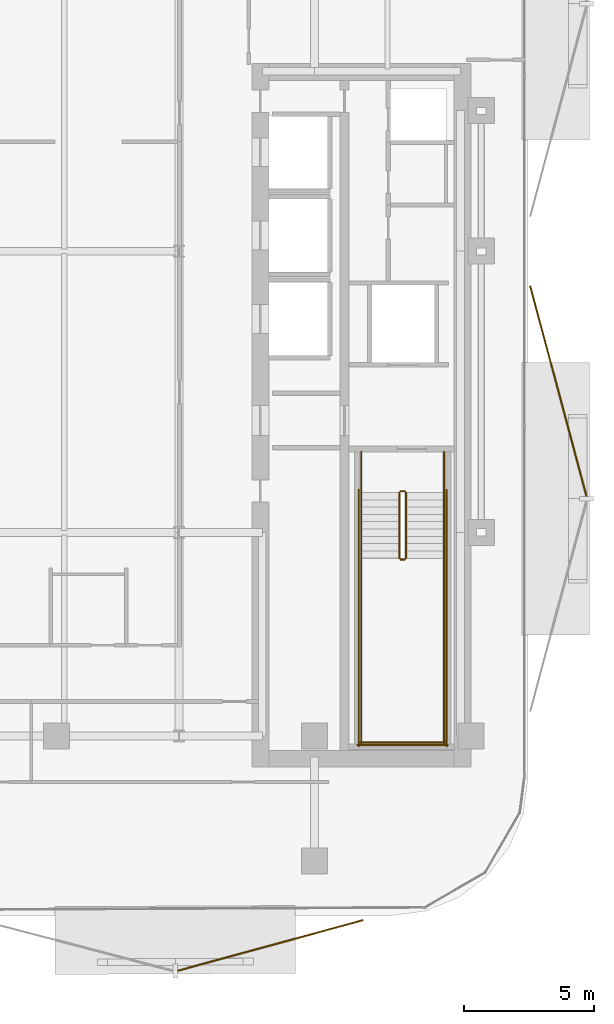
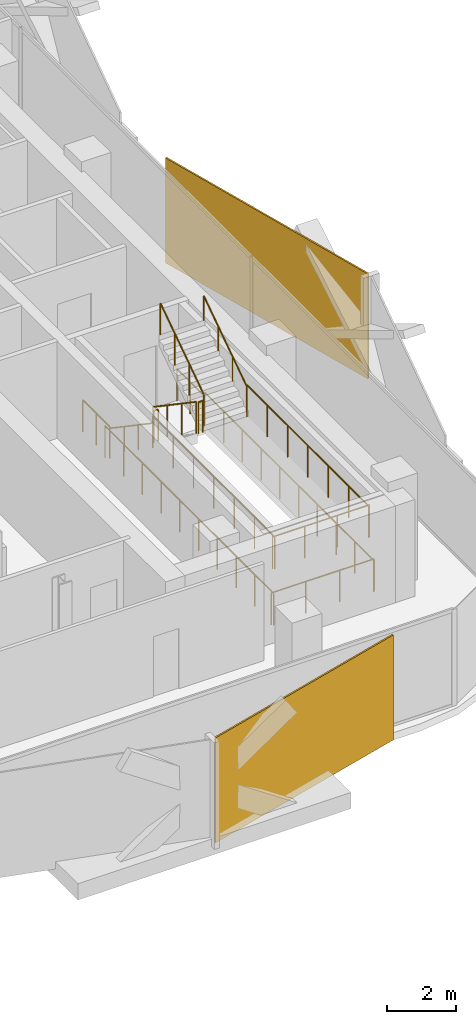
# One storey, part 15 of 17: 14 railings, 2 coverings.
"""IFC4 building model written with IfcOpenShell, lengths in metres."""

from ifc_helpers import new_model, si_unit, direction, frame, origin, origin_2d, place, context, subcontext, project, spatial, rectangle, circle, extrude, material, layer, layer_set, type_object, element, save


model = new_model("IFC4")

# Units and contexts
model_context = context("Model", 3, precision=1e-05, world=origin(), true_north=direction((0.0, 1.0)))
body_context = subcontext(model_context, "Body", "Model", "MODEL_VIEW")
ifc_project = project(units=[si_unit("LENGTHUNIT", "METRE"), si_unit("AREAUNIT", "SQUARE_METRE"), si_unit("VOLUMEUNIT", "CUBIC_METRE"), si_unit("PLANEANGLEUNIT", "RADIAN"), si_unit("MASSUNIT", "GRAM", prefix="KILO")], contexts=[model_context])

# Site, building, storey
site_placement = place(None, origin())
site = spatial("IfcSite", under=ifc_project, at=site_placement, CompositionType="ELEMENT")
building_placement = place(site_placement, origin())
building = spatial("IfcBuilding", under=site, at=building_placement, Name="Khairoan Windgate Tower", CompositionType="ELEMENT")
storey_placement = place(building_placement, frame((0.0, 0.0, 210.60009765625)))
storey = spatial("IfcBuildingStorey", under=building, at=storey_placement, Name="L49", CompositionType="ELEMENT", Elevation=210.60009765625)

# Coverings
ifc_material_1 = material(Name="Anodised Bronze Aluminium 6063-T6", Category="aluminium")
ifc_layer = layer(ifc_material_1, 0.054931640625, Name="Anodised Bronze Aluminium 6063-T6")
ifc_layer_set = layer_set([ifc_layer], Name="Anodised Bronze Aluminium 6063-T6")
covering_type = type_object("IfcCoveringType", Name="Perforated Bronze-Ceramic Folded Solar Screen Cladding BSC-1", PredefinedType="CLADDING", material=ifc_layer_set)
covering_1_placement = place(storey_placement, frame((12.712890625, -26.6376953125, -0.10009765625), z_axis=(0.0, 0.0, 1.0), x_axis=(-0.964649468762, -0.263536339841, 0.0)))
element("IfcCovering", 1, at=covering_1_placement, inside=storey, type_object=covering_type, Name="L49 Folded Bronze Solar Screen Facet 329L", PredefinedType="CLADDING", context=body_context, shape_type="SweptSolid", body=[
    extrude(rectangle(XDim=7.3759765625, YDim=0.054931640625, at=origin_2d()), origin(), (0.0, 0.0, 1.0), 3.739990234375),
])
covering_2_placement = place(storey_placement, frame((23.7587890625, -5.369873046875, -0.10009765625), z_axis=(0.0, 0.0, 1.0), x_axis=(0.258819045103, -0.965925826289, 0.0)))
element("IfcCovering", 2, at=covering_2_placement, inside=storey, type_object=covering_type, Name="L49 Folded Bronze Solar Screen Facet 336L", PredefinedType="CLADDING", context=body_context, shape_type="SweptSolid", body=[
    extrude(rectangle(XDim=8.35595703125, YDim=0.054931640625, at=origin_2d()), origin(), (0.0, 0.0, 1.0), 3.739990234375),
])

# Railings
ifc_material_2 = material(Name="Anodised Bronze Aluminium 6063-T6", Category="aluminium")
railing_type_1 = type_object("IfcRailingType", Name="Stair Wall Handrail SHR-900", PredefinedType="HANDRAIL", material=ifc_material_2)
railing_1_placement = place(storey_placement, frame((16.199951171875, -9.260009765625, 0.18994140625)))
element("IfcRailing", 3, at=railing_1_placement, inside=storey, type_object=railing_type_1, Name="L49 ST1 stair handrail 1", PredefinedType="HANDRAIL", context=body_context, shape_type="SweptSolid", body=[
    extrude(circle(Radius=0.02392578125, at=origin_2d()), frame((0.0, 0.0, 0.8759765625), z_axis=(0.0, -0.827483756001, 0.561489655786), x_axis=(1.0, 0.0, 0.0)), (0.0, 0.0, 1.0), 3.04541015625),
    extrude(circle(Radius=0.02099609375, at=origin_2d()), origin(), (0.0, 0.0, 1.0), 0.851806640625),
    extrude(circle(Radius=0.02099609375, at=origin_2d()), frame((0.0, -0.840087890625, 0.570068359375)), (0.0, 0.0, 1.0), 0.851806640625),
    extrude(circle(Radius=0.02099609375, at=origin_2d()), frame((0.0, -1.679931640625, 1.139892578125)), (0.0, 0.0, 1.0), 0.851806640625),
    extrude(circle(Radius=0.02099609375, at=origin_2d()), frame((0.0, -2.52001953125, 1.7099609375)), (0.0, 0.0, 1.0), 0.851806640625),
])
railing_2_placement = place(storey_placement, frame((19.3701171875, -11.780029296875, 2.08984375)))
element("IfcRailing", 4, at=railing_2_placement, inside=storey, type_object=railing_type_1, Name="L49 ST1 stair handrail 2", PredefinedType="HANDRAIL", context=body_context, shape_type="SweptSolid", body=[
    extrude(circle(Radius=0.02392578125, at=origin_2d()), frame((0.0, 0.0, 0.8759765625), z_axis=(0.0, 0.827483756001, 0.561489655786), x_axis=(-1.0, 0.0, 0.0)), (0.0, 0.0, 1.0), 3.04541015625),
    extrude(circle(Radius=0.02099609375, at=origin_2d()), origin(), (0.0, 0.0, 1.0), 0.851806640625),
    extrude(circle(Radius=0.02099609375, at=origin_2d()), frame((0.0, 0.840087890625, 0.570068359375)), (0.0, 0.0, 1.0), 0.851806640625),
    extrude(circle(Radius=0.02099609375, at=origin_2d()), frame((0.0, 1.679931640625, 1.139892578125)), (0.0, 0.0, 1.0), 0.851806640625),
    extrude(circle(Radius=0.02099609375, at=origin_2d()), frame((0.0, 2.52001953125, 1.7099609375)), (0.0, 0.0, 1.0), 0.851806640625),
])
ifc_material_3 = material(Name="Steel S355", Category="steel")
railing_type_2 = type_object("IfcRailingType", Name="Stairwell Safety Guardrail SGR-1150", PredefinedType="GUARDRAIL", material=ifc_material_3)
railing_3_placement = place(storey_placement, frame((17.659912109375, -9.260009765625, 0.18994140625)))
element("IfcRailing", 5, at=railing_3_placement, inside=storey, type_object=railing_type_2, Name="L49 ST1 stair guard 1", PredefinedType="GUARDRAIL", context=body_context, shape_type="SweptSolid", body=[
    extrude(circle(Radius=0.02392578125, at=origin_2d()), frame((0.0, 0.0, 1.1259765625), z_axis=(0.0, -0.827483756001, 0.561489655786), x_axis=(1.0, 0.0, 0.0)), (0.0, 0.0, 1.0), 3.04541015625),
    extrude(circle(Radius=0.02099609375, at=origin_2d()), origin(), (0.0, 0.0, 1.0), 1.101806640625),
    extrude(circle(Radius=0.02099609375, at=origin_2d()), frame((0.0, -0.840087890625, 0.570068359375)), (0.0, 0.0, 1.0), 1.101806640625),
    extrude(circle(Radius=0.02099609375, at=origin_2d()), frame((0.0, -1.679931640625, 1.139892578125)), (0.0, 0.0, 1.0), 1.101806640625),
    extrude(circle(Radius=0.02099609375, at=origin_2d()), frame((0.0, -2.52001953125, 1.7099609375)), (0.0, 0.0, 1.0), 1.101806640625),
])
railing_4_placement = place(storey_placement, frame((17.7099609375, -11.830078125, 1.89990234375)))
element("IfcRailing", 6, at=railing_4_placement, inside=storey, type_object=railing_type_2, Name="L49 ST1 stair guard 2", PredefinedType="GUARDRAIL", context=body_context, shape_type="SweptSolid", body=[
    extrude(circle(Radius=0.02392578125, at=origin_2d()), frame((0.0, 0.0, 1.1259765625), z_axis=(1.0, 0.0, 0.0), x_axis=(0.0, 1.0, 0.0)), (0.0, 0.0, 1.0), 0.150146484375),
    extrude(circle(Radius=0.02099609375, at=origin_2d()), origin(), (0.0, 0.0, 1.0), 1.101806640625),
    extrude(circle(Radius=0.02099609375, at=origin_2d()), frame((0.150146484375, 0.0, 0.0)), (0.0, 0.0, 1.0), 1.101806640625),
])
for number, where, name in (
    (7, (16.199951171875, -11.780029296875, 1.89990234375), "L49 ST1 stair guard 3"),
    (8, (19.3701171875, -11.780029296875, 1.89990234375), "L49 ST1 stair guard 4"),
):
    element("IfcRailing", number, at=place(storey_placement, frame(where)), inside=storey, type_object=railing_type_2, Name=name, PredefinedType="GUARDRAIL", context=body_context, shape_type="SweptSolid", body=[
        extrude(circle(Radius=0.02392578125, at=origin_2d()), frame((0.0, 0.0, 1.1259765625), z_axis=(0.0, -1.0, 0.0), x_axis=(1.0, 0.0, 0.0)), (0.0, 0.0, 1.0), 7.119873046875),
        extrude(circle(Radius=0.02099609375, at=origin_2d()), origin(), (0.0, 0.0, 1.0), 1.101806640625),
        extrude(circle(Radius=0.02099609375, at=origin_2d()), frame((0.0, -1.1865234375, 0.0)), (0.0, 0.0, 1.0), 1.101806640625),
        extrude(circle(Radius=0.02099609375, at=origin_2d()), frame((0.0, -2.373291015625, 0.0)), (0.0, 0.0, 1.0), 1.101806640625),
        extrude(circle(Radius=0.02099609375, at=origin_2d()), frame((0.0, -3.56005859375, 0.0)), (0.0, 0.0, 1.0), 1.101806640625),
        extrude(circle(Radius=0.02099609375, at=origin_2d()), frame((0.0, -4.74658203125, 0.0)), (0.0, 0.0, 1.0), 1.101806640625),
        extrude(circle(Radius=0.02099609375, at=origin_2d()), frame((0.0, -5.93310546875, 0.0)), (0.0, 0.0, 1.0), 1.101806640625),
        extrude(circle(Radius=0.02099609375, at=origin_2d()), frame((0.0, -7.119873046875, 0.0)), (0.0, 0.0, 1.0), 1.101806640625),
    ])
railing_5_placement = place(storey_placement, frame((16.14990234375, -18.85009765625, 1.89990234375)))
element("IfcRailing", 9, at=railing_5_placement, inside=storey, type_object=railing_type_2, Name="L49 ST1 stair guard 5", PredefinedType="GUARDRAIL", context=body_context, shape_type="SweptSolid", body=[
    extrude(circle(Radius=0.02392578125, at=origin_2d()), frame((0.0, 0.0, 1.1259765625), z_axis=(1.0, 0.0, 0.0), x_axis=(0.0, 1.0, 0.0)), (0.0, 0.0, 1.0), 3.27001953125),
    extrude(circle(Radius=0.02099609375, at=origin_2d()), origin(), (0.0, 0.0, 1.0), 1.101806640625),
    extrude(circle(Radius=0.02099609375, at=origin_2d()), frame((1.090087890625, 0.0, 0.0)), (0.0, 0.0, 1.0), 1.101806640625),
    extrude(circle(Radius=0.02099609375, at=origin_2d()), frame((2.179931640625, 0.0, 0.0)), (0.0, 0.0, 1.0), 1.101806640625),
    extrude(circle(Radius=0.02099609375, at=origin_2d()), frame((3.27001953125, 0.0, 0.0)), (0.0, 0.0, 1.0), 1.101806640625),
])
railing_6_placement = place(storey_placement, frame((17.909912109375, -11.780029296875, 2.08984375)))
element("IfcRailing", 10, at=railing_6_placement, inside=storey, type_object=railing_type_2, Name="L49 ST1 stair guard 6", PredefinedType="GUARDRAIL", context=body_context, shape_type="SweptSolid", body=[
    extrude(circle(Radius=0.02392578125, at=origin_2d()), frame((0.0, 0.0, 1.1259765625), z_axis=(0.0, 0.827483756001, 0.561489655786), x_axis=(-1.0, 0.0, 0.0)), (0.0, 0.0, 1.0), 3.04541015625),
    extrude(circle(Radius=0.02099609375, at=origin_2d()), origin(), (0.0, 0.0, 1.0), 1.101806640625),
    extrude(circle(Radius=0.02099609375, at=origin_2d()), frame((0.0, 0.840087890625, 0.570068359375)), (0.0, 0.0, 1.0), 1.101806640625),
    extrude(circle(Radius=0.02099609375, at=origin_2d()), frame((0.0, 1.679931640625, 1.139892578125)), (0.0, 0.0, 1.0), 1.101806640625),
    extrude(circle(Radius=0.02099609375, at=origin_2d()), frame((0.0, 2.52001953125, 1.7099609375)), (0.0, 0.0, 1.0), 1.101806640625),
])
railing_7_placement = place(storey_placement, frame((17.7099609375, -9.2099609375, 0.0)))
element("IfcRailing", 11, at=railing_7_placement, inside=storey, type_object=railing_type_2, Name="L49 ST1 stair guard 7", PredefinedType="GUARDRAIL", context=body_context, shape_type="SweptSolid", body=[
    extrude(circle(Radius=0.02392578125, at=origin_2d()), frame((0.0, 0.0, 1.1259765625), z_axis=(1.0, 0.0, 0.0), x_axis=(0.0, 1.0, 0.0)), (0.0, 0.0, 1.0), 0.150146484375),
    extrude(circle(Radius=0.02099609375, at=origin_2d()), origin(), (0.0, 0.0, 1.0), 1.101806640625),
    extrude(circle(Radius=0.02099609375, at=origin_2d()), frame((0.150146484375, 0.0, 0.0)), (0.0, 0.0, 1.0), 1.101806640625),
])
for number, where, name in (
    (12, (16.199951171875, -7.699951171875, 0.0), "L49 ST1 stair guard 8"),
    (13, (19.3701171875, -7.699951171875, 0.0), "L49 ST1 stair guard 9"),
):
    element("IfcRailing", number, at=place(storey_placement, frame(where)), inside=storey, type_object=railing_type_2, Name=name, PredefinedType="GUARDRAIL", context=body_context, shape_type="SweptSolid", body=[
        extrude(circle(Radius=0.02392578125, at=origin_2d()), frame((0.0, 0.0, 1.1259765625), z_axis=(0.0, -1.0, 0.0), x_axis=(1.0, 0.0, 0.0)), (0.0, 0.0, 1.0), 1.56005859375),
        extrude(circle(Radius=0.02099609375, at=origin_2d()), origin(), (0.0, 0.0, 1.0), 1.101806640625),
        extrude(circle(Radius=0.02099609375, at=origin_2d()), frame((0.0, -0.780029296875, 0.0)), (0.0, 0.0, 1.0), 1.101806640625),
        extrude(circle(Radius=0.02099609375, at=origin_2d()), frame((0.0, -1.56005859375, 0.0)), (0.0, 0.0, 1.0), 1.101806640625),
    ])
for number, where, name in (
    (14, (16.10009765625, -9.159912109375, 0.0), "L49 ST1 stair guard 10"),
    (15, (19.469970703125, -9.159912109375, 0.0), "L49 ST1 stair guard 11"),
):
    element("IfcRailing", number, at=place(storey_placement, frame(where)), inside=storey, type_object=railing_type_2, Name=name, PredefinedType="GUARDRAIL", context=body_context, shape_type="SweptSolid", body=[
        extrude(circle(Radius=0.02392578125, at=origin_2d()), frame((0.0, 0.0, 1.1259765625), z_axis=(0.0, -1.0, 0.0), x_axis=(1.0, 0.0, 0.0)), (0.0, 0.0, 1.0), 9.840087890625),
        extrude(circle(Radius=0.02099609375, at=origin_2d()), origin(), (0.0, 0.0, 1.0), 1.101806640625),
        extrude(circle(Radius=0.02099609375, at=origin_2d()), frame((0.0, -1.09326171875, 0.0)), (0.0, 0.0, 1.0), 1.101806640625),
        extrude(circle(Radius=0.02099609375, at=origin_2d()), frame((0.0, -2.186767578125, 0.0)), (0.0, 0.0, 1.0), 1.101806640625),
        extrude(circle(Radius=0.02099609375, at=origin_2d()), frame((0.0, -3.280029296875, 0.0)), (0.0, 0.0, 1.0), 1.101806640625),
        extrude(circle(Radius=0.02099609375, at=origin_2d()), frame((0.0, -4.373291015625, 0.0)), (0.0, 0.0, 1.0), 1.101806640625),
        extrude(circle(Radius=0.02099609375, at=origin_2d()), frame((0.0, -5.466796875, 0.0)), (0.0, 0.0, 1.0), 1.101806640625),
        extrude(circle(Radius=0.02099609375, at=origin_2d()), frame((0.0, -6.56005859375, 0.0)), (0.0, 0.0, 1.0), 1.101806640625),
        extrude(circle(Radius=0.02099609375, at=origin_2d()), frame((0.0, -7.6533203125, 0.0)), (0.0, 0.0, 1.0), 1.101806640625),
        extrude(circle(Radius=0.02099609375, at=origin_2d()), frame((0.0, -8.746826171875, 0.0)), (0.0, 0.0, 1.0), 1.101806640625),
        extrude(circle(Radius=0.02099609375, at=origin_2d()), frame((0.0, -9.840087890625, 0.0)), (0.0, 0.0, 1.0), 1.101806640625),
    ])
railing_8_placement = place(storey_placement, frame((16.050048828125, -18.949951171875, 0.0)))
element("IfcRailing", 16, at=railing_8_placement, inside=storey, type_object=railing_type_2, Name="L49 ST1 stair guard 12", PredefinedType="GUARDRAIL", context=body_context, shape_type="SweptSolid", body=[
    extrude(circle(Radius=0.02392578125, at=origin_2d()), frame((0.0, 0.0, 1.1259765625), z_axis=(1.0, 0.0, 0.0), x_axis=(0.0, 1.0, 0.0)), (0.0, 0.0, 1.0), 3.469970703125),
    extrude(circle(Radius=0.02099609375, at=origin_2d()), origin(), (0.0, 0.0, 1.0), 1.101806640625),
    extrude(circle(Radius=0.02099609375, at=origin_2d()), frame((1.15673828125, 0.0, 0.0)), (0.0, 0.0, 1.0), 1.101806640625),
    extrude(circle(Radius=0.02099609375, at=origin_2d()), frame((2.313232421875, 0.0, 0.0)), (0.0, 0.0, 1.0), 1.101806640625),
    extrude(circle(Radius=0.02099609375, at=origin_2d()), frame((3.469970703125, 0.0, 0.0)), (0.0, 0.0, 1.0), 1.101806640625),
])

save(model, "model.ifc")
